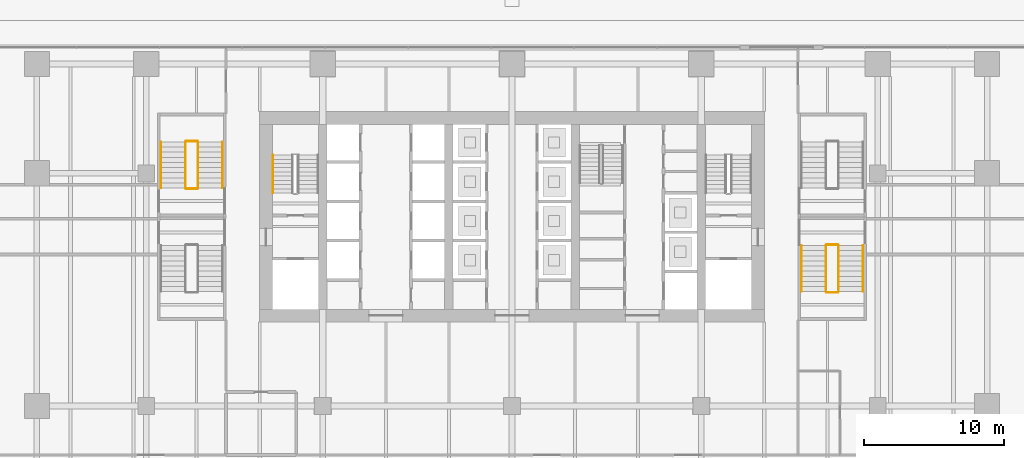
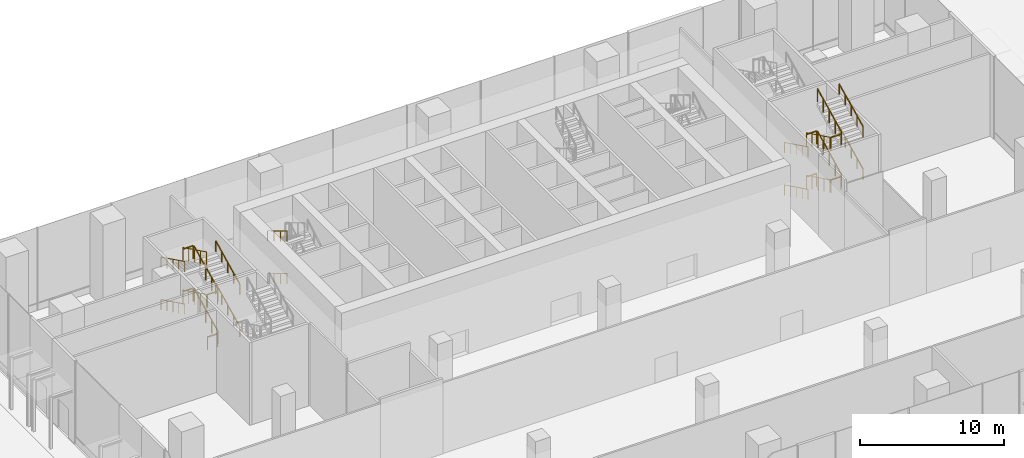
# One storey, part 38 of 41: 26 railings.
"""IFC4 building model written with IfcOpenShell, lengths in metres."""

from ifc_helpers import new_model, si_unit, direction, frame, origin, origin_2d, place, context, subcontext, project, spatial, rectangle, extrude, material, type_object, element, save


model = new_model("IFC4")

# Units and contexts
model_context = context("Model", 3, precision=1e-05, world=origin(), true_north=direction((0.0, 1.0)))
body_context = subcontext(model_context, "Body", "Model", "MODEL_VIEW")
ifc_project = project(units=[si_unit("LENGTHUNIT", "METRE"), si_unit("AREAUNIT", "SQUARE_METRE"), si_unit("VOLUMEUNIT", "CUBIC_METRE"), si_unit("PLANEANGLEUNIT", "RADIAN"), si_unit("MASSUNIT", "GRAM", prefix="KILO")], contexts=[model_context])

# Site, building, storey
site_placement = place(None, origin())
site = spatial("IfcSite", under=ifc_project, at=site_placement, CompositionType="ELEMENT")
building_placement = place(site_placement, origin())
building = spatial("IfcBuilding", under=site, at=building_placement, Name="Rattan Terrace Tower", CompositionType="ELEMENT")
storey_placement = place(building_placement, origin())
storey = spatial("IfcBuildingStorey", under=building, at=storey_placement, Name="L00", CompositionType="ELEMENT", Elevation=0.0)

# Railings
ifc_material_1 = material(Name="Powder-coated steel guard", Category="steel")
railing_type_1 = type_object("IfcRailingType", Name="Core stair guard", PredefinedType="GUARDRAIL", material=ifc_material_1)
railing_1_placement = place(storey_placement, frame((-22.39990234375, 2.050048828125, 0.179931640625)))
element("IfcRailing", 1, at=railing_1_placement, inside=storey, type_object=railing_type_1, Name="L00 S5 stair guard 1", PredefinedType="GUARDRAIL", context=body_context, shape_type="SweptSolid", body=[
    extrude(rectangle(XDim=0.048095703125, YDim=0.048095703125, at=origin_2d()), frame((0.0, 0.0, 1.076171875), z_axis=(0.0, 0.897334421457, 0.441351261547), x_axis=(-1.0, 0.0, 0.0)), (0.0, 0.0, 1.0), 3.6708984375),
    extrude(rectangle(XDim=0.0419921875, YDim=0.0419921875, at=origin_2d()), origin(), (0.0, 0.0, 1.0), 1.052001953125),
    extrude(rectangle(XDim=0.0419921875, YDim=0.0419921875, at=origin_2d()), frame((0.0, 0.823486328125, 0.405029296875)), (0.0, 0.0, 1.0), 1.052001953125),
    extrude(rectangle(XDim=0.0419921875, YDim=0.0419921875, at=origin_2d()), frame((0.0, 1.64697265625, 0.81005859375)), (0.0, 0.0, 1.0), 1.052001953125),
    extrude(rectangle(XDim=0.0419921875, YDim=0.0419921875, at=origin_2d()), frame((0.0, 2.470458984375, 1.215087890625)), (0.0, 0.0, 1.0), 1.052001953125),
    extrude(rectangle(XDim=0.0419921875, YDim=0.0419921875, at=origin_2d()), frame((0.0, 3.2939453125, 1.6201171875)), (0.0, 0.0, 1.0), 1.052001953125),
])
railing_2_placement = place(storey_placement, frame((-22.449951171875, 5.39404296875, 1.800048828125)))
element("IfcRailing", 2, at=railing_2_placement, inside=storey, type_object=railing_type_1, Name="L00 S5 stair guard 2", PredefinedType="GUARDRAIL", context=body_context, shape_type="SweptSolid", body=[
    extrude(rectangle(XDim=0.048095703125, YDim=0.048095703125, at=origin_2d()), frame((0.0, 0.0, 1.076171875), z_axis=(-1.0, 0.0, 0.0), x_axis=(0.0, -1.0, 0.0)), (0.0, 0.0, 1.0), 0.800048828125),
    extrude(rectangle(XDim=0.0419921875, YDim=0.0419921875, at=origin_2d()), origin(), (0.0, 0.0, 1.0), 1.052001953125),
    extrude(rectangle(XDim=0.0419921875, YDim=0.0419921875, at=origin_2d()), frame((-0.800048828125, 0.0, 0.0)), (0.0, 0.0, 1.0), 1.052001953125),
])
railing_3_placement = place(storey_placement, frame((-23.300048828125, 5.343994140625, 1.97998046875)))
element("IfcRailing", 3, at=railing_3_placement, inside=storey, type_object=railing_type_1, Name="L00 S5 stair guard 3", PredefinedType="GUARDRAIL", context=body_context, shape_type="SweptSolid", body=[
    extrude(rectangle(XDim=0.048095703125, YDim=0.048095703125, at=origin_2d()), frame((0.0, 0.0, 1.076171875), z_axis=(0.0, -0.897334421457, 0.441351261547), x_axis=(1.0, 0.0, 0.0)), (0.0, 0.0, 1.0), 3.6708984375),
    extrude(rectangle(XDim=0.0419921875, YDim=0.0419921875, at=origin_2d()), origin(), (0.0, 0.0, 1.0), 1.052001953125),
    extrude(rectangle(XDim=0.0419921875, YDim=0.0419921875, at=origin_2d()), frame((0.0, -0.823486328125, 0.405029296875)), (0.0, 0.0, 1.0), 1.052001953125),
    extrude(rectangle(XDim=0.0419921875, YDim=0.0419921875, at=origin_2d()), frame((0.0, -1.64697265625, 0.81005859375)), (0.0, 0.0, 1.0), 1.052001953125),
    extrude(rectangle(XDim=0.0419921875, YDim=0.0419921875, at=origin_2d()), frame((0.0, -2.470458984375, 1.215087890625)), (0.0, 0.0, 1.0), 1.052001953125),
    extrude(rectangle(XDim=0.0419921875, YDim=0.0419921875, at=origin_2d()), frame((0.0, -3.2939453125, 1.6201171875)), (0.0, 0.0, 1.0), 1.052001953125),
])
railing_4_placement = place(storey_placement, frame((-22.449951171875, 2.0, 3.60009765625)))
element("IfcRailing", 4, at=railing_4_placement, inside=storey, type_object=railing_type_1, Name="L00 S5 stair guard 4", PredefinedType="GUARDRAIL", context=body_context, shape_type="SweptSolid", body=[
    extrude(rectangle(XDim=0.048095703125, YDim=0.048095703125, at=origin_2d()), frame((0.0, 0.0, 1.076171875), z_axis=(-1.0, 0.0, 0.0), x_axis=(0.0, -1.0, 0.0)), (0.0, 0.0, 1.0), 0.800048828125),
    extrude(rectangle(XDim=0.0419921875, YDim=0.0419921875, at=origin_2d()), origin(), (0.0, 0.0, 1.0), 1.052001953125),
    extrude(rectangle(XDim=0.0419921875, YDim=0.0419921875, at=origin_2d()), frame((-0.800048828125, 0.0, 0.0)), (0.0, 0.0, 1.0), 1.052001953125),
])
railing_5_placement = place(storey_placement, frame((-22.39990234375, 2.050048828125, 3.780029296875)))
element("IfcRailing", 5, at=railing_5_placement, inside=storey, type_object=railing_type_1, Name="L00 S5 stair guard 5", PredefinedType="GUARDRAIL", context=body_context, shape_type="SweptSolid", body=[
    extrude(rectangle(XDim=0.048095703125, YDim=0.048095703125, at=origin_2d()), frame((0.0, 0.0, 1.076171875), z_axis=(0.0, 0.897360760688, 0.441297705838), x_axis=(-1.0, 0.0, 0.0)), (0.0, 0.0, 1.0), 3.670654296875),
    extrude(rectangle(XDim=0.0419921875, YDim=0.0419921875, at=origin_2d()), origin(), (0.0, 0.0, 1.0), 1.052001953125),
    extrude(rectangle(XDim=0.0419921875, YDim=0.0419921875, at=origin_2d()), frame((0.0, 0.823486328125, 0.405029296875)), (0.0, 0.0, 1.0), 1.052001953125),
    extrude(rectangle(XDim=0.0419921875, YDim=0.0419921875, at=origin_2d()), frame((0.0, 1.64697265625, 0.81005859375)), (0.0, 0.0, 1.0), 1.052001953125),
    extrude(rectangle(XDim=0.0419921875, YDim=0.0419921875, at=origin_2d()), frame((0.0, 2.470458984375, 1.21484375)), (0.0, 0.0, 1.0), 1.052001953125),
    extrude(rectangle(XDim=0.0419921875, YDim=0.0419921875, at=origin_2d()), frame((0.0, 3.2939453125, 1.619873046875)), (0.0, 0.0, 1.0), 1.052001953125),
])
railing_6_placement = place(storey_placement, frame((-22.449951171875, 5.39404296875, 5.39990234375)))
element("IfcRailing", 6, at=railing_6_placement, inside=storey, type_object=railing_type_1, Name="L00 S5 stair guard 6", PredefinedType="GUARDRAIL", context=body_context, shape_type="SweptSolid", body=[
    extrude(rectangle(XDim=0.048095703125, YDim=0.048095703125, at=origin_2d()), frame((0.0, 0.0, 1.076171875), z_axis=(-1.0, 0.0, 0.0), x_axis=(0.0, -1.0, 0.0)), (0.0, 0.0, 1.0), 0.800048828125),
    extrude(rectangle(XDim=0.0419921875, YDim=0.0419921875, at=origin_2d()), origin(), (0.0, 0.0, 1.0), 1.052001953125),
    extrude(rectangle(XDim=0.0419921875, YDim=0.0419921875, at=origin_2d()), frame((-0.800048828125, 0.0, 0.0)), (0.0, 0.0, 1.0), 1.052001953125),
])
railing_7_placement = place(storey_placement, frame((-23.300048828125, 5.343994140625, 5.580078125)))
element("IfcRailing", 7, at=railing_7_placement, inside=storey, type_object=railing_type_1, Name="L00 S5 stair guard 7", PredefinedType="GUARDRAIL", context=body_context, shape_type="SweptSolid", body=[
    extrude(rectangle(XDim=0.048095703125, YDim=0.048095703125, at=origin_2d()), frame((0.0, 0.0, 1.076171875), z_axis=(0.0, -0.897360760688, 0.441297705838), x_axis=(1.0, 0.0, 0.0)), (0.0, 0.0, 1.0), 3.670654296875),
    extrude(rectangle(XDim=0.0419921875, YDim=0.0419921875, at=origin_2d()), origin(), (0.0, 0.0, 1.0), 1.052001953125),
    extrude(rectangle(XDim=0.0419921875, YDim=0.0419921875, at=origin_2d()), frame((0.0, -0.823486328125, 0.405029296875)), (0.0, 0.0, 1.0), 1.052001953125),
    extrude(rectangle(XDim=0.0419921875, YDim=0.0419921875, at=origin_2d()), frame((0.0, -1.64697265625, 0.81005859375)), (0.0, 0.0, 1.0), 1.052001953125),
    extrude(rectangle(XDim=0.0419921875, YDim=0.0419921875, at=origin_2d()), frame((0.0, -2.470458984375, 1.21484375)), (0.0, 0.0, 1.0), 1.052001953125),
    extrude(rectangle(XDim=0.0419921875, YDim=0.0419921875, at=origin_2d()), frame((0.0, -3.2939453125, 1.619873046875)), (0.0, 0.0, 1.0), 1.052001953125),
])
railing_8_placement = place(storey_placement, frame((-22.449951171875, 2.0, 0.0)))
element("IfcRailing", 8, at=railing_8_placement, inside=storey, type_object=railing_type_1, Name="L00 S5 stair guard 8", PredefinedType="GUARDRAIL", context=body_context, shape_type="SweptSolid", body=[
    extrude(rectangle(XDim=0.048095703125, YDim=0.048095703125, at=origin_2d()), frame((0.0, 0.0, 1.076171875), z_axis=(-1.0, 0.0, 0.0), x_axis=(0.0, -1.0, 0.0)), (0.0, 0.0, 1.0), 0.800048828125),
    extrude(rectangle(XDim=0.0419921875, YDim=0.0419921875, at=origin_2d()), origin(), (0.0, 0.0, 1.0), 1.052001953125),
    extrude(rectangle(XDim=0.0419921875, YDim=0.0419921875, at=origin_2d()), frame((-0.800048828125, 0.0, 0.0)), (0.0, 0.0, 1.0), 1.052001953125),
])
railing_9_placement = place(storey_placement, frame((22.39990234375, -2.050048828125, 0.179931640625)))
element("IfcRailing", 9, at=railing_9_placement, inside=storey, type_object=railing_type_1, Name="L00 S6 stair guard 1", PredefinedType="GUARDRAIL", context=body_context, shape_type="SweptSolid", body=[
    extrude(rectangle(XDim=0.048095703125, YDim=0.048095703125, at=origin_2d()), frame((0.0, 0.0, 1.076171875), z_axis=(0.0, -0.897334421457, 0.441351261547), x_axis=(1.0, 0.0, 0.0)), (0.0, 0.0, 1.0), 3.6708984375),
    extrude(rectangle(XDim=0.0419921875, YDim=0.0419921875, at=origin_2d()), origin(), (0.0, 0.0, 1.0), 1.052001953125),
    extrude(rectangle(XDim=0.0419921875, YDim=0.0419921875, at=origin_2d()), frame((0.0, -0.823486328125, 0.405029296875)), (0.0, 0.0, 1.0), 1.052001953125),
    extrude(rectangle(XDim=0.0419921875, YDim=0.0419921875, at=origin_2d()), frame((0.0, -1.64697265625, 0.81005859375)), (0.0, 0.0, 1.0), 1.052001953125),
    extrude(rectangle(XDim=0.0419921875, YDim=0.0419921875, at=origin_2d()), frame((0.0, -2.470458984375, 1.215087890625)), (0.0, 0.0, 1.0), 1.052001953125),
    extrude(rectangle(XDim=0.0419921875, YDim=0.0419921875, at=origin_2d()), frame((0.0, -3.2939453125, 1.6201171875)), (0.0, 0.0, 1.0), 1.052001953125),
])
railing_10_placement = place(storey_placement, frame((22.449951171875, -5.39404296875, 1.800048828125)))
element("IfcRailing", 10, at=railing_10_placement, inside=storey, type_object=railing_type_1, Name="L00 S6 stair guard 2", PredefinedType="GUARDRAIL", context=body_context, shape_type="SweptSolid", body=[
    extrude(rectangle(XDim=0.048095703125, YDim=0.048095703125, at=origin_2d()), frame((0.0, 0.0, 1.076171875), z_axis=(1.0, 0.0, 0.0), x_axis=(0.0, 1.0, 0.0)), (0.0, 0.0, 1.0), 0.800048828125),
    extrude(rectangle(XDim=0.0419921875, YDim=0.0419921875, at=origin_2d()), origin(), (0.0, 0.0, 1.0), 1.052001953125),
    extrude(rectangle(XDim=0.0419921875, YDim=0.0419921875, at=origin_2d()), frame((0.800048828125, 0.0, 0.0)), (0.0, 0.0, 1.0), 1.052001953125),
])
railing_11_placement = place(storey_placement, frame((23.300048828125, -5.343994140625, 1.97998046875)))
element("IfcRailing", 11, at=railing_11_placement, inside=storey, type_object=railing_type_1, Name="L00 S6 stair guard 3", PredefinedType="GUARDRAIL", context=body_context, shape_type="SweptSolid", body=[
    extrude(rectangle(XDim=0.048095703125, YDim=0.048095703125, at=origin_2d()), frame((0.0, 0.0, 1.076171875), z_axis=(0.0, 0.897334421457, 0.441351261547), x_axis=(-1.0, 0.0, 0.0)), (0.0, 0.0, 1.0), 3.6708984375),
    extrude(rectangle(XDim=0.0419921875, YDim=0.0419921875, at=origin_2d()), origin(), (0.0, 0.0, 1.0), 1.052001953125),
    extrude(rectangle(XDim=0.0419921875, YDim=0.0419921875, at=origin_2d()), frame((0.0, 0.823486328125, 0.405029296875)), (0.0, 0.0, 1.0), 1.052001953125),
    extrude(rectangle(XDim=0.0419921875, YDim=0.0419921875, at=origin_2d()), frame((0.0, 1.64697265625, 0.81005859375)), (0.0, 0.0, 1.0), 1.052001953125),
    extrude(rectangle(XDim=0.0419921875, YDim=0.0419921875, at=origin_2d()), frame((0.0, 2.470458984375, 1.215087890625)), (0.0, 0.0, 1.0), 1.052001953125),
    extrude(rectangle(XDim=0.0419921875, YDim=0.0419921875, at=origin_2d()), frame((0.0, 3.2939453125, 1.6201171875)), (0.0, 0.0, 1.0), 1.052001953125),
])
railing_12_placement = place(storey_placement, frame((22.449951171875, -2.0, 3.60009765625)))
element("IfcRailing", 12, at=railing_12_placement, inside=storey, type_object=railing_type_1, Name="L00 S6 stair guard 4", PredefinedType="GUARDRAIL", context=body_context, shape_type="SweptSolid", body=[
    extrude(rectangle(XDim=0.048095703125, YDim=0.048095703125, at=origin_2d()), frame((0.0, 0.0, 1.076171875), z_axis=(1.0, 0.0, 0.0), x_axis=(0.0, 1.0, 0.0)), (0.0, 0.0, 1.0), 0.800048828125),
    extrude(rectangle(XDim=0.0419921875, YDim=0.0419921875, at=origin_2d()), origin(), (0.0, 0.0, 1.0), 1.052001953125),
    extrude(rectangle(XDim=0.0419921875, YDim=0.0419921875, at=origin_2d()), frame((0.800048828125, 0.0, 0.0)), (0.0, 0.0, 1.0), 1.052001953125),
])
railing_13_placement = place(storey_placement, frame((22.39990234375, -2.050048828125, 3.780029296875)))
element("IfcRailing", 13, at=railing_13_placement, inside=storey, type_object=railing_type_1, Name="L00 S6 stair guard 5", PredefinedType="GUARDRAIL", context=body_context, shape_type="SweptSolid", body=[
    extrude(rectangle(XDim=0.048095703125, YDim=0.048095703125, at=origin_2d()), frame((0.0, 0.0, 1.076171875), z_axis=(0.0, -0.897360760688, 0.441297705838), x_axis=(1.0, 0.0, 0.0)), (0.0, 0.0, 1.0), 3.670654296875),
    extrude(rectangle(XDim=0.0419921875, YDim=0.0419921875, at=origin_2d()), origin(), (0.0, 0.0, 1.0), 1.052001953125),
    extrude(rectangle(XDim=0.0419921875, YDim=0.0419921875, at=origin_2d()), frame((0.0, -0.823486328125, 0.405029296875)), (0.0, 0.0, 1.0), 1.052001953125),
    extrude(rectangle(XDim=0.0419921875, YDim=0.0419921875, at=origin_2d()), frame((0.0, -1.64697265625, 0.81005859375)), (0.0, 0.0, 1.0), 1.052001953125),
    extrude(rectangle(XDim=0.0419921875, YDim=0.0419921875, at=origin_2d()), frame((0.0, -2.470458984375, 1.21484375)), (0.0, 0.0, 1.0), 1.052001953125),
    extrude(rectangle(XDim=0.0419921875, YDim=0.0419921875, at=origin_2d()), frame((0.0, -3.2939453125, 1.619873046875)), (0.0, 0.0, 1.0), 1.052001953125),
])
railing_14_placement = place(storey_placement, frame((22.449951171875, -5.39404296875, 5.39990234375)))
element("IfcRailing", 14, at=railing_14_placement, inside=storey, type_object=railing_type_1, Name="L00 S6 stair guard 6", PredefinedType="GUARDRAIL", context=body_context, shape_type="SweptSolid", body=[
    extrude(rectangle(XDim=0.048095703125, YDim=0.048095703125, at=origin_2d()), frame((0.0, 0.0, 1.076171875), z_axis=(1.0, 0.0, 0.0), x_axis=(0.0, 1.0, 0.0)), (0.0, 0.0, 1.0), 0.800048828125),
    extrude(rectangle(XDim=0.0419921875, YDim=0.0419921875, at=origin_2d()), origin(), (0.0, 0.0, 1.0), 1.052001953125),
    extrude(rectangle(XDim=0.0419921875, YDim=0.0419921875, at=origin_2d()), frame((0.800048828125, 0.0, 0.0)), (0.0, 0.0, 1.0), 1.052001953125),
])
railing_15_placement = place(storey_placement, frame((23.300048828125, -5.343994140625, 5.580078125)))
element("IfcRailing", 15, at=railing_15_placement, inside=storey, type_object=railing_type_1, Name="L00 S6 stair guard 7", PredefinedType="GUARDRAIL", context=body_context, shape_type="SweptSolid", body=[
    extrude(rectangle(XDim=0.048095703125, YDim=0.048095703125, at=origin_2d()), frame((0.0, 0.0, 1.076171875), z_axis=(0.0, 0.897360760688, 0.441297705838), x_axis=(-1.0, 0.0, 0.0)), (0.0, 0.0, 1.0), 3.670654296875),
    extrude(rectangle(XDim=0.0419921875, YDim=0.0419921875, at=origin_2d()), origin(), (0.0, 0.0, 1.0), 1.052001953125),
    extrude(rectangle(XDim=0.0419921875, YDim=0.0419921875, at=origin_2d()), frame((0.0, 0.823486328125, 0.405029296875)), (0.0, 0.0, 1.0), 1.052001953125),
    extrude(rectangle(XDim=0.0419921875, YDim=0.0419921875, at=origin_2d()), frame((0.0, 1.64697265625, 0.81005859375)), (0.0, 0.0, 1.0), 1.052001953125),
    extrude(rectangle(XDim=0.0419921875, YDim=0.0419921875, at=origin_2d()), frame((0.0, 2.470458984375, 1.21484375)), (0.0, 0.0, 1.0), 1.052001953125),
    extrude(rectangle(XDim=0.0419921875, YDim=0.0419921875, at=origin_2d()), frame((0.0, 3.2939453125, 1.619873046875)), (0.0, 0.0, 1.0), 1.052001953125),
])
railing_16_placement = place(storey_placement, frame((22.449951171875, -2.0, 0.0)))
element("IfcRailing", 16, at=railing_16_placement, inside=storey, type_object=railing_type_1, Name="L00 S6 stair guard 8", PredefinedType="GUARDRAIL", context=body_context, shape_type="SweptSolid", body=[
    extrude(rectangle(XDim=0.048095703125, YDim=0.048095703125, at=origin_2d()), frame((0.0, 0.0, 1.076171875), z_axis=(1.0, 0.0, 0.0), x_axis=(0.0, 1.0, 0.0)), (0.0, 0.0, 1.0), 0.800048828125),
    extrude(rectangle(XDim=0.0419921875, YDim=0.0419921875, at=origin_2d()), origin(), (0.0, 0.0, 1.0), 1.052001953125),
    extrude(rectangle(XDim=0.0419921875, YDim=0.0419921875, at=origin_2d()), frame((0.800048828125, 0.0, 0.0)), (0.0, 0.0, 1.0), 1.052001953125),
])
ifc_material_2 = material(Name="Powder-coated steel handrail", Category="steel")
railing_type_2 = type_object("IfcRailingType", Name="Core stair handrail", PredefinedType="HANDRAIL", material=ifc_material_2)
railing_17_placement = place(storey_placement, frame((-17.050048828125, 4.39990234375, 1.97998046875)))
element("IfcRailing", 17, at=railing_17_placement, inside=storey, type_object=railing_type_2, Name="L00 S1 stair handrail 2", PredefinedType="HANDRAIL", context=body_context, shape_type="SweptSolid", body=[
    extrude(rectangle(XDim=0.048095703125, YDim=0.048095703125, at=origin_2d()), frame((0.0, 0.0, 0.8759765625), z_axis=(0.0, -0.857472400752, 0.514529962148), x_axis=(1.0, 0.0, 0.0)), (0.0, 0.0, 1.0), 3.148681640625),
    extrude(rectangle(XDim=0.0419921875, YDim=0.0419921875, at=origin_2d()), origin(), (0.0, 0.0, 1.0), 0.851806640625),
    extrude(rectangle(XDim=0.0419921875, YDim=0.0419921875, at=origin_2d()), frame((0.0, -0.89990234375, 0.5400390625)), (0.0, 0.0, 1.0), 0.851806640625),
    extrude(rectangle(XDim=0.0419921875, YDim=0.0419921875, at=origin_2d()), frame((0.0, -1.800048828125, 1.080078125)), (0.0, 0.0, 1.0), 0.851806640625),
    extrude(rectangle(XDim=0.0419921875, YDim=0.0419921875, at=origin_2d()), frame((0.0, -2.699951171875, 1.6201171875)), (0.0, 0.0, 1.0), 0.851806640625),
])
railing_18_placement = place(storey_placement, frame((-17.050048828125, 4.39990234375, 5.580078125)))
element("IfcRailing", 18, at=railing_18_placement, inside=storey, type_object=railing_type_2, Name="L00 S1 stair handrail 4", PredefinedType="HANDRAIL", context=body_context, shape_type="SweptSolid", body=[
    extrude(rectangle(XDim=0.048095703125, YDim=0.048095703125, at=origin_2d()), frame((0.0, 0.0, 0.8759765625), z_axis=(0.0, -0.857506608807, 0.514472949583), x_axis=(1.0, 0.0, 0.0)), (0.0, 0.0, 1.0), 3.148681640625),
    extrude(rectangle(XDim=0.0419921875, YDim=0.0419921875, at=origin_2d()), origin(), (0.0, 0.0, 1.0), 0.851806640625),
    extrude(rectangle(XDim=0.0419921875, YDim=0.0419921875, at=origin_2d()), frame((0.0, -0.89990234375, 0.5400390625)), (0.0, 0.0, 1.0), 0.851806640625),
    extrude(rectangle(XDim=0.0419921875, YDim=0.0419921875, at=origin_2d()), frame((0.0, -1.800048828125, 1.079833984375)), (0.0, 0.0, 1.0), 0.851806640625),
    extrude(rectangle(XDim=0.0419921875, YDim=0.0419921875, at=origin_2d()), frame((0.0, -2.699951171875, 1.619873046875)), (0.0, 0.0, 1.0), 0.851806640625),
])
railing_19_placement = place(storey_placement, frame((-20.64990234375, 2.050048828125, 0.179931640625)))
element("IfcRailing", 19, at=railing_19_placement, inside=storey, type_object=railing_type_2, Name="L00 S5 stair handrail 1", PredefinedType="HANDRAIL", context=body_context, shape_type="SweptSolid", body=[
    extrude(rectangle(XDim=0.048095703125, YDim=0.048095703125, at=origin_2d()), frame((0.0, 0.0, 0.8759765625), z_axis=(0.0, 0.897334421457, 0.441351261547), x_axis=(-1.0, 0.0, 0.0)), (0.0, 0.0, 1.0), 3.6708984375),
    extrude(rectangle(XDim=0.0419921875, YDim=0.0419921875, at=origin_2d()), origin(), (0.0, 0.0, 1.0), 0.851806640625),
    extrude(rectangle(XDim=0.0419921875, YDim=0.0419921875, at=origin_2d()), frame((0.0, 0.823486328125, 0.405029296875)), (0.0, 0.0, 1.0), 0.851806640625),
    extrude(rectangle(XDim=0.0419921875, YDim=0.0419921875, at=origin_2d()), frame((0.0, 1.64697265625, 0.81005859375)), (0.0, 0.0, 1.0), 0.851806640625),
    extrude(rectangle(XDim=0.0419921875, YDim=0.0419921875, at=origin_2d()), frame((0.0, 2.470458984375, 1.215087890625)), (0.0, 0.0, 1.0), 0.851806640625),
    extrude(rectangle(XDim=0.0419921875, YDim=0.0419921875, at=origin_2d()), frame((0.0, 3.2939453125, 1.6201171875)), (0.0, 0.0, 1.0), 0.851806640625),
])
railing_20_placement = place(storey_placement, frame((-25.050048828125, 5.343994140625, 1.97998046875)))
element("IfcRailing", 20, at=railing_20_placement, inside=storey, type_object=railing_type_2, Name="L00 S5 stair handrail 2", PredefinedType="HANDRAIL", context=body_context, shape_type="SweptSolid", body=[
    extrude(rectangle(XDim=0.048095703125, YDim=0.048095703125, at=origin_2d()), frame((0.0, 0.0, 0.8759765625), z_axis=(0.0, -0.897334421457, 0.441351261547), x_axis=(1.0, 0.0, 0.0)), (0.0, 0.0, 1.0), 3.6708984375),
    extrude(rectangle(XDim=0.0419921875, YDim=0.0419921875, at=origin_2d()), origin(), (0.0, 0.0, 1.0), 0.851806640625),
    extrude(rectangle(XDim=0.0419921875, YDim=0.0419921875, at=origin_2d()), frame((0.0, -0.823486328125, 0.405029296875)), (0.0, 0.0, 1.0), 0.851806640625),
    extrude(rectangle(XDim=0.0419921875, YDim=0.0419921875, at=origin_2d()), frame((0.0, -1.64697265625, 0.81005859375)), (0.0, 0.0, 1.0), 0.851806640625),
    extrude(rectangle(XDim=0.0419921875, YDim=0.0419921875, at=origin_2d()), frame((0.0, -2.470458984375, 1.215087890625)), (0.0, 0.0, 1.0), 0.851806640625),
    extrude(rectangle(XDim=0.0419921875, YDim=0.0419921875, at=origin_2d()), frame((0.0, -3.2939453125, 1.6201171875)), (0.0, 0.0, 1.0), 0.851806640625),
])
railing_21_placement = place(storey_placement, frame((-20.64990234375, 2.050048828125, 3.780029296875)))
element("IfcRailing", 21, at=railing_21_placement, inside=storey, type_object=railing_type_2, Name="L00 S5 stair handrail 3", PredefinedType="HANDRAIL", context=body_context, shape_type="SweptSolid", body=[
    extrude(rectangle(XDim=0.048095703125, YDim=0.048095703125, at=origin_2d()), frame((0.0, 0.0, 0.8759765625), z_axis=(0.0, 0.897360760688, 0.441297705838), x_axis=(-1.0, 0.0, 0.0)), (0.0, 0.0, 1.0), 3.670654296875),
    extrude(rectangle(XDim=0.0419921875, YDim=0.0419921875, at=origin_2d()), origin(), (0.0, 0.0, 1.0), 0.851806640625),
    extrude(rectangle(XDim=0.0419921875, YDim=0.0419921875, at=origin_2d()), frame((0.0, 0.823486328125, 0.405029296875)), (0.0, 0.0, 1.0), 0.851806640625),
    extrude(rectangle(XDim=0.0419921875, YDim=0.0419921875, at=origin_2d()), frame((0.0, 1.64697265625, 0.81005859375)), (0.0, 0.0, 1.0), 0.851806640625),
    extrude(rectangle(XDim=0.0419921875, YDim=0.0419921875, at=origin_2d()), frame((0.0, 2.470458984375, 1.21484375)), (0.0, 0.0, 1.0), 0.851806640625),
    extrude(rectangle(XDim=0.0419921875, YDim=0.0419921875, at=origin_2d()), frame((0.0, 3.2939453125, 1.619873046875)), (0.0, 0.0, 1.0), 0.851806640625),
])
railing_22_placement = place(storey_placement, frame((-25.050048828125, 5.343994140625, 5.580078125)))
element("IfcRailing", 22, at=railing_22_placement, inside=storey, type_object=railing_type_2, Name="L00 S5 stair handrail 4", PredefinedType="HANDRAIL", context=body_context, shape_type="SweptSolid", body=[
    extrude(rectangle(XDim=0.048095703125, YDim=0.048095703125, at=origin_2d()), frame((0.0, 0.0, 0.8759765625), z_axis=(0.0, -0.897360760688, 0.441297705838), x_axis=(1.0, 0.0, 0.0)), (0.0, 0.0, 1.0), 3.670654296875),
    extrude(rectangle(XDim=0.0419921875, YDim=0.0419921875, at=origin_2d()), origin(), (0.0, 0.0, 1.0), 0.851806640625),
    extrude(rectangle(XDim=0.0419921875, YDim=0.0419921875, at=origin_2d()), frame((0.0, -0.823486328125, 0.405029296875)), (0.0, 0.0, 1.0), 0.851806640625),
    extrude(rectangle(XDim=0.0419921875, YDim=0.0419921875, at=origin_2d()), frame((0.0, -1.64697265625, 0.81005859375)), (0.0, 0.0, 1.0), 0.851806640625),
    extrude(rectangle(XDim=0.0419921875, YDim=0.0419921875, at=origin_2d()), frame((0.0, -2.470458984375, 1.21484375)), (0.0, 0.0, 1.0), 0.851806640625),
    extrude(rectangle(XDim=0.0419921875, YDim=0.0419921875, at=origin_2d()), frame((0.0, -3.2939453125, 1.619873046875)), (0.0, 0.0, 1.0), 0.851806640625),
])
railing_23_placement = place(storey_placement, frame((20.64990234375, -2.050048828125, 0.179931640625)))
element("IfcRailing", 23, at=railing_23_placement, inside=storey, type_object=railing_type_2, Name="L00 S6 stair handrail 1", PredefinedType="HANDRAIL", context=body_context, shape_type="SweptSolid", body=[
    extrude(rectangle(XDim=0.048095703125, YDim=0.048095703125, at=origin_2d()), frame((0.0, 0.0, 0.8759765625), z_axis=(0.0, -0.897334421457, 0.441351261547), x_axis=(1.0, 0.0, 0.0)), (0.0, 0.0, 1.0), 3.6708984375),
    extrude(rectangle(XDim=0.0419921875, YDim=0.0419921875, at=origin_2d()), origin(), (0.0, 0.0, 1.0), 0.851806640625),
    extrude(rectangle(XDim=0.0419921875, YDim=0.0419921875, at=origin_2d()), frame((0.0, -0.823486328125, 0.405029296875)), (0.0, 0.0, 1.0), 0.851806640625),
    extrude(rectangle(XDim=0.0419921875, YDim=0.0419921875, at=origin_2d()), frame((0.0, -1.64697265625, 0.81005859375)), (0.0, 0.0, 1.0), 0.851806640625),
    extrude(rectangle(XDim=0.0419921875, YDim=0.0419921875, at=origin_2d()), frame((0.0, -2.470458984375, 1.215087890625)), (0.0, 0.0, 1.0), 0.851806640625),
    extrude(rectangle(XDim=0.0419921875, YDim=0.0419921875, at=origin_2d()), frame((0.0, -3.2939453125, 1.6201171875)), (0.0, 0.0, 1.0), 0.851806640625),
])
railing_24_placement = place(storey_placement, frame((25.050048828125, -5.343994140625, 1.97998046875)))
element("IfcRailing", 24, at=railing_24_placement, inside=storey, type_object=railing_type_2, Name="L00 S6 stair handrail 2", PredefinedType="HANDRAIL", context=body_context, shape_type="SweptSolid", body=[
    extrude(rectangle(XDim=0.048095703125, YDim=0.048095703125, at=origin_2d()), frame((0.0, 0.0, 0.8759765625), z_axis=(0.0, 0.897334421457, 0.441351261547), x_axis=(-1.0, 0.0, 0.0)), (0.0, 0.0, 1.0), 3.6708984375),
    extrude(rectangle(XDim=0.0419921875, YDim=0.0419921875, at=origin_2d()), origin(), (0.0, 0.0, 1.0), 0.851806640625),
    extrude(rectangle(XDim=0.0419921875, YDim=0.0419921875, at=origin_2d()), frame((0.0, 0.823486328125, 0.405029296875)), (0.0, 0.0, 1.0), 0.851806640625),
    extrude(rectangle(XDim=0.0419921875, YDim=0.0419921875, at=origin_2d()), frame((0.0, 1.64697265625, 0.81005859375)), (0.0, 0.0, 1.0), 0.851806640625),
    extrude(rectangle(XDim=0.0419921875, YDim=0.0419921875, at=origin_2d()), frame((0.0, 2.470458984375, 1.215087890625)), (0.0, 0.0, 1.0), 0.851806640625),
    extrude(rectangle(XDim=0.0419921875, YDim=0.0419921875, at=origin_2d()), frame((0.0, 3.2939453125, 1.6201171875)), (0.0, 0.0, 1.0), 0.851806640625),
])
railing_25_placement = place(storey_placement, frame((20.64990234375, -2.050048828125, 3.780029296875)))
element("IfcRailing", 25, at=railing_25_placement, inside=storey, type_object=railing_type_2, Name="L00 S6 stair handrail 3", PredefinedType="HANDRAIL", context=body_context, shape_type="SweptSolid", body=[
    extrude(rectangle(XDim=0.048095703125, YDim=0.048095703125, at=origin_2d()), frame((0.0, 0.0, 0.8759765625), z_axis=(0.0, -0.897360760688, 0.441297705838), x_axis=(1.0, 0.0, 0.0)), (0.0, 0.0, 1.0), 3.670654296875),
    extrude(rectangle(XDim=0.0419921875, YDim=0.0419921875, at=origin_2d()), origin(), (0.0, 0.0, 1.0), 0.851806640625),
    extrude(rectangle(XDim=0.0419921875, YDim=0.0419921875, at=origin_2d()), frame((0.0, -0.823486328125, 0.405029296875)), (0.0, 0.0, 1.0), 0.851806640625),
    extrude(rectangle(XDim=0.0419921875, YDim=0.0419921875, at=origin_2d()), frame((0.0, -1.64697265625, 0.81005859375)), (0.0, 0.0, 1.0), 0.851806640625),
    extrude(rectangle(XDim=0.0419921875, YDim=0.0419921875, at=origin_2d()), frame((0.0, -2.470458984375, 1.21484375)), (0.0, 0.0, 1.0), 0.851806640625),
    extrude(rectangle(XDim=0.0419921875, YDim=0.0419921875, at=origin_2d()), frame((0.0, -3.2939453125, 1.619873046875)), (0.0, 0.0, 1.0), 0.851806640625),
])
railing_26_placement = place(storey_placement, frame((25.050048828125, -5.343994140625, 5.580078125)))
element("IfcRailing", 26, at=railing_26_placement, inside=storey, type_object=railing_type_2, Name="L00 S6 stair handrail 4", PredefinedType="HANDRAIL", context=body_context, shape_type="SweptSolid", body=[
    extrude(rectangle(XDim=0.048095703125, YDim=0.048095703125, at=origin_2d()), frame((0.0, 0.0, 0.8759765625), z_axis=(0.0, 0.897360760688, 0.441297705838), x_axis=(-1.0, 0.0, 0.0)), (0.0, 0.0, 1.0), 3.670654296875),
    extrude(rectangle(XDim=0.0419921875, YDim=0.0419921875, at=origin_2d()), origin(), (0.0, 0.0, 1.0), 0.851806640625),
    extrude(rectangle(XDim=0.0419921875, YDim=0.0419921875, at=origin_2d()), frame((0.0, 0.823486328125, 0.405029296875)), (0.0, 0.0, 1.0), 0.851806640625),
    extrude(rectangle(XDim=0.0419921875, YDim=0.0419921875, at=origin_2d()), frame((0.0, 1.64697265625, 0.81005859375)), (0.0, 0.0, 1.0), 0.851806640625),
    extrude(rectangle(XDim=0.0419921875, YDim=0.0419921875, at=origin_2d()), frame((0.0, 2.470458984375, 1.21484375)), (0.0, 0.0, 1.0), 0.851806640625),
    extrude(rectangle(XDim=0.0419921875, YDim=0.0419921875, at=origin_2d()), frame((0.0, 3.2939453125, 1.619873046875)), (0.0, 0.0, 1.0), 0.851806640625),
])

save(model, "model.ifc")
